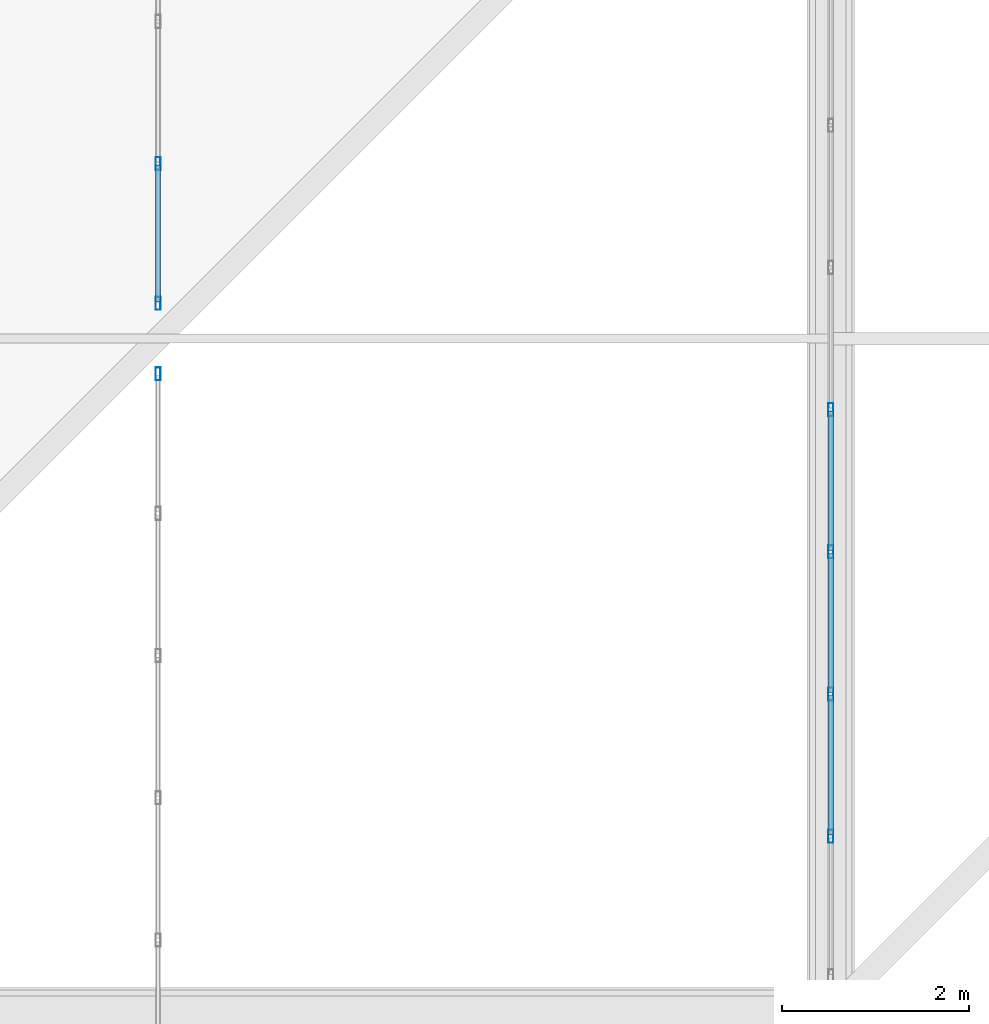
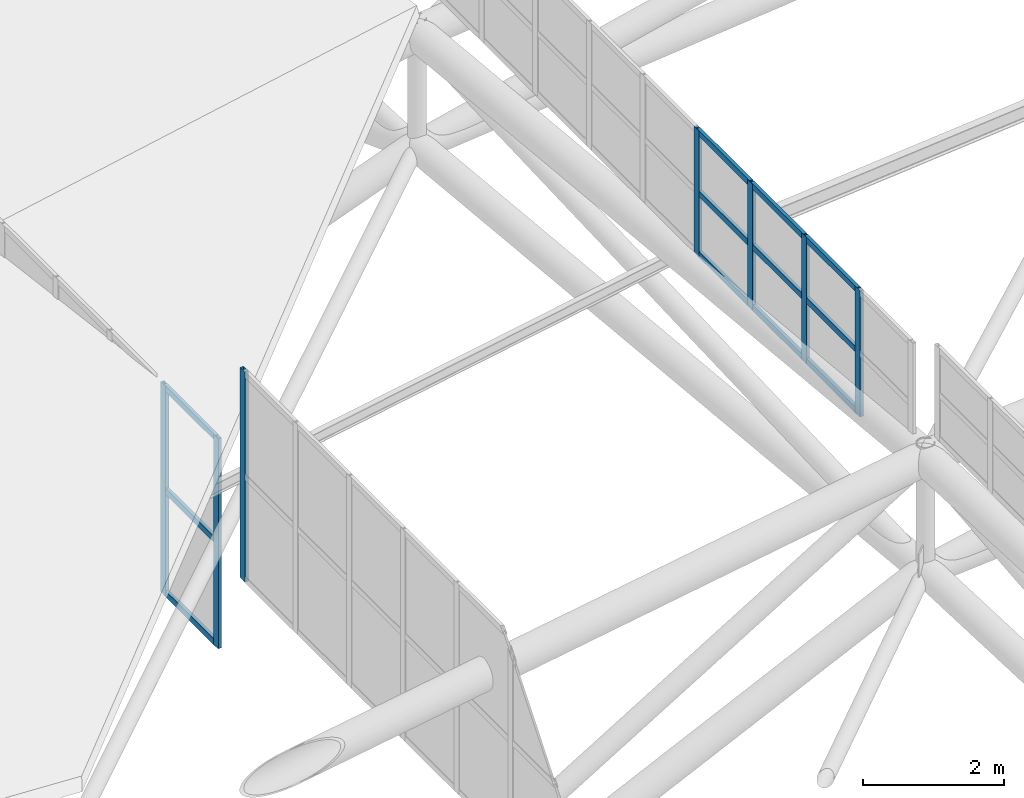
# One storey, part 201 of 397: 19 members, 3 elements without a shape of their own.
"""IFC4 building model written with IfcOpenShell, lengths in metres."""

import ifcopenshell
import ifcopenshell.guid

model = None  # the IFC model being written
_history = None  # IfcOwnerHistory: only IFC2X3 demands one
_inside = {}  # id of a spatial element -> (the spatial element, [elements in it])
_under = {}  # id of a project, library or spatial element -> (it, [spatial elements below it])
_declared = {}  # id of a project -> (the project, [libraries it declares])
_typed = {}  # id of a type object -> (the type object, [elements of that type])
_made_of = {}  # id of a material, layer set ... -> (it, [elements and type objects made of it])


def new_model(schema):
    """Start an empty IFC model of exactly this schema.

    Asked for "IFC4X3", IfcOpenShell would pick the latest addendum, in which some entities
    have other attributes; the version numbers below select the first issue.
    IFC2X3 requires an IfcOwnerHistory on every rooted entity: one is made here for all.
    """
    global model, _history
    if schema == "IFC4X3":
        model = ifcopenshell.file(schema_version=(4, 3, 0, 0))
    else:
        model = ifcopenshell.file(schema=schema)
    _inside.clear()
    _under.clear()
    _declared.clear()
    _typed.clear()
    _made_of.clear()
    _history = None
    if model.schema == "IFC2X3":
        org = make("IfcOrganization", Name="unknown")
        user = make(
            "IfcPersonAndOrganization",
            ThePerson=make("IfcPerson", FamilyName="unknown"),
            TheOrganization=org,
        )
        app = make(
            "IfcApplication",
            ApplicationDeveloper=org,
            Version="unknown",
            ApplicationFullName="unknown",
            ApplicationIdentifier="unknown",
        )
        _history = make(
            "IfcOwnerHistory",
            OwningUser=user,
            OwningApplication=app,
            ChangeAction="ADDED",
            CreationDate=0,
        )
    return model


def make(cls, **values):
    """One entity of the class cls with the attributes given. An attribute that is None is left unset."""
    return model.create_entity(
        cls, **{name: value for name, value in values.items() if value is not None}
    )


def rooted(cls, **values):
    """An entity with a GlobalId (a new one), such as an element, a storey or a relation."""
    return make(cls, GlobalId=ifcopenshell.guid.new(), OwnerHistory=_history, **values)


def si_unit(unit_type, name, prefix=None):
    """IfcSIUnit, for example si_unit("LENGTHUNIT", "METRE", prefix="MILLI")."""
    return make("IfcSIUnit", UnitType=unit_type, Prefix=prefix, Name=name)


def assignment(units):
    """IfcUnitAssignment: the units of a project."""
    return None if units is None else make("IfcUnitAssignment", Units=units)


def point(xyz):
    """IfcCartesianPoint."""
    return None if xyz is None else make("IfcCartesianPoint", Coordinates=xyz)


def direction(xyz):
    """IfcDirection."""
    return None if xyz is None else make("IfcDirection", DirectionRatios=xyz)


def frame(location, z_axis=None, x_axis=None):
    """IfcAxis2Placement3D, a coordinate frame: its origin and axes. An axis left out is left unset."""
    return make(
        "IfcAxis2Placement3D",
        Location=point(location),
        Axis=direction(z_axis),
        RefDirection=direction(x_axis),
    )


def frame_2d(location, x_axis=None):
    """IfcAxis2Placement2D, a coordinate frame in the plane: its origin and x axis."""
    return make(
        "IfcAxis2Placement2D", Location=point(location), RefDirection=direction(x_axis)
    )


def origin():
    """The frame at (0, 0, 0) with its axes left unset."""
    return frame((0.0, 0.0, 0.0))


def origin_2d():
    """The frame at (0, 0) in the plane with its x axis left unset."""
    return frame_2d((0.0, 0.0))


def place(relative_to, where):
    """IfcLocalPlacement: puts the frame where relative to a parent placement (None: the world)."""
    return make(
        "IfcLocalPlacement", PlacementRelTo=relative_to, RelativePlacement=where
    )


def context(
    kind, dimensions, precision=None, world=None, true_north=None, identifier=None
):
    """IfcGeometricRepresentationContext, for example the 3D "Model" context."""
    return make(
        "IfcGeometricRepresentationContext",
        ContextIdentifier=identifier,
        ContextType=kind,
        CoordinateSpaceDimension=dimensions,
        Precision=precision,
        WorldCoordinateSystem=world,
        TrueNorth=true_north,
    )


def subcontext(parent, identifier, kind, view, scale=None):
    """IfcGeometricRepresentationSubContext, for example "Body" below "Model"."""
    return make(
        "IfcGeometricRepresentationSubContext",
        ContextIdentifier=identifier,
        ContextType=kind,
        ParentContext=parent,
        TargetScale=scale,
        TargetView=view,
    )


def project(units=None, contexts=None):
    """IfcProject with its units and contexts."""
    return rooted(
        "IfcProject",
        Name="project",
        RepresentationContexts=contexts,
        UnitsInContext=assignment(units),
    )


def spatial(cls, under=None, at=None, **own):
    """A site, building, storey or space (cls), placed at a placement, below another one or the project."""
    s = rooted(cls, ObjectPlacement=at, **own)
    if under is not None:
        _under.setdefault(under.id(), (under, []))[1].append(s)
    return s


def profile(cls, at=None, kind="AREA", **sizes):
    """A parametric profile (cls). Its sizes go by their IFC names, for example OverallWidth=200.0."""
    return make(cls, ProfileType=kind, Position=at, **sizes)


def hollow_rectangle(**sizes):
    """IfcRectangleHollowProfileDef."""
    return profile("IfcRectangleHollowProfileDef", **sizes)


def extrude(swept, where, along, depth):
    """IfcExtrudedAreaSolid: the profile swept, set in the frame where, extruded along a direction by depth."""
    return make(
        "IfcExtrudedAreaSolid",
        SweptArea=swept,
        Position=where,
        ExtrudedDirection=direction(along),
        Depth=depth,
    )


def shape(context_of_items, identifier, shape_type, items):
    """IfcShapeRepresentation: the items that make up one representation, for example the "Body"."""
    return make(
        "IfcShapeRepresentation",
        ContextOfItems=context_of_items,
        RepresentationIdentifier=identifier,
        RepresentationType=shape_type,
        Items=items,
    )


def material(Name=None, Category=None):
    """IfcMaterial."""
    return make("IfcMaterial", Name=Name, Category=Category)


def material_profile(
    of_material, cross_section, Name=None, Category=None, Priority=None
):
    """IfcMaterialProfile: a cross section and its material."""
    return make(
        "IfcMaterialProfile",
        Name=Name,
        Material=of_material,
        Profile=cross_section,
        Priority=Priority,
        Category=Category,
    )


def profile_set(profiles, Name=None, composite=None):
    """IfcMaterialProfileSet."""
    return make(
        "IfcMaterialProfileSet",
        Name=Name,
        MaterialProfiles=profiles,
        CompositeProfile=composite,
    )


def made_of(thing, what):
    """Note that an element or type object is made of a material, layer set ...; save() writes the relation."""
    if what is not None:
        _made_of.setdefault(what.id(), (what, []))[1].append(thing)
    return thing


def type_object(cls, material=None, **own):
    """A type object (cls), such as IfcWallType, which elements share."""
    return made_of(rooted(cls, **own), material)


def element(
    cls,
    number,
    at=None,
    inside=None,
    cuts=None,
    type_object=None,
    material=None,
    context=None,
    identifier="Body",
    shape_type=None,
    held_by="IfcProductDefinitionShape",
    body=None,
    shapes=None,
    **own,
):
    """One element of the class cls, such as IfcWall. Its Tag is "e" and its number.

    at: its placement. inside: the storey or other place that contains it. cuts: it is an
    opening in that element (IfcRelVoidsElement). A single representation is given by context,
    identifier, shape_type and body (its items); several are given by shapes. held_by: the class
    of the entity that holds the representations. save() writes the other relations.
    """
    e = rooted(cls, Tag="e%d" % number, ObjectPlacement=at, **own)
    if body is not None:
        shapes = [shape(context, identifier, shape_type, body)]
    if shapes is not None:
        e.Representation = make(held_by, Representations=shapes)
    if inside is not None:
        _inside.setdefault(inside.id(), (inside, []))[1].append(e)
    if cuts is not None:
        rooted(
            "IfcRelVoidsElement", RelatingBuildingElement=cuts, RelatedOpeningElement=e
        )
    if type_object is not None:
        _typed.setdefault(type_object.id(), (type_object, []))[1].append(e)
    return made_of(e, material)


def aggregate(whole, parts):
    """IfcRelAggregates: a whole, such as a stair, and the parts it consists of."""
    return rooted("IfcRelAggregates", RelatingObject=whole, RelatedObjects=parts)


def save(model, path):
    """Write the relations noted so far, then the file.

    IfcRelAggregates (storeys below a building ...), IfcRelContainedInSpatialStructure (elements
    in a storey), IfcRelDefinesByType, IfcRelAssociatesMaterial and IfcRelDeclares: one each for
    every whole, place, type object, material and project.
    """
    for whole, parts in _under.values():
        aggregate(whole, parts)
    for where, things in _inside.values():
        rooted(
            "IfcRelContainedInSpatialStructure",
            RelatedElements=things,
            RelatingStructure=where,
        )
    for kind, things in _typed.values():
        rooted("IfcRelDefinesByType", RelatedObjects=things, RelatingType=kind)
    for what, things in _made_of.values():
        rooted("IfcRelAssociatesMaterial", RelatedObjects=things, RelatingMaterial=what)
    for by, libraries in _declared.values():
        rooted("IfcRelDeclares", RelatingContext=by, RelatedDefinitions=libraries)
    model.write(path)


model = new_model("IFC4")

# Units and contexts
model_context = context("Model", 3, precision=1e-05, world=origin(), true_north=direction((0.0, 1.0)))
body_context = subcontext(model_context, "Body", "Model", "MODEL_VIEW")
ifc_project = project(units=[si_unit("LENGTHUNIT", "METRE"), si_unit("AREAUNIT", "SQUARE_METRE"), si_unit("VOLUMEUNIT", "CUBIC_METRE"), si_unit("PLANEANGLEUNIT", "RADIAN"), si_unit("MASSUNIT", "GRAM", prefix="KILO")], contexts=[model_context])

# Site, building, storey
site_placement = place(None, origin())
site = spatial("IfcSite", under=ifc_project, at=site_placement, CompositionType="ELEMENT")
building_placement = place(site_placement, origin())
building = spatial("IfcBuilding", under=site, at=building_placement, Name="Qandorah Velis Arena", CompositionType="ELEMENT")
storey_placement = place(building_placement, frame((0.0, 0.0, 27.5)))
storey = spatial("IfcBuildingStorey", under=building, at=storey_placement, Name="RF", CompositionType="ELEMENT", Elevation=27.5)

# Curtain wall, member
ifc_material_1 = material(Name="Solar-control low-E double glazing", Category="glass")
curtain_wall_type_1 = type_object("IfcCurtainWallType", Name="ARC-CW-SYS11", PredefinedType="USERDEFINED", material=ifc_material_1)
curtain_wall_1_placement = place(storey_placement, origin())
curtain_wall_1 = element("IfcCurtainWall", 1, at=curtain_wall_1_placement, inside=storey, type_object=curtain_wall_type_1, Name="Unitised curtain wall MON-1-5", ObjectType="UNITISED CURTAIN WALL", PredefinedType="USERDEFINED")
ifc_material_2 = material(Name="Champagne-bronze anodized aluminium 6063-T6", Category="aluminium")
ifc_material_profile_1 = material_profile(ifc_material_2, hollow_rectangle(XDim=0.054931640625, YDim=0.139892578125, WallThickness=0.0029296875, at=origin_2d()), Name="ALU MULLION 55x140")
ifc_profile_set_1 = profile_set([ifc_material_profile_1], Name="Champagne-bronze anodized aluminium 6063-T6")
member_type_1 = type_object("IfcMemberType", Name="ARC-CWM-140", PredefinedType="MULLION", material=ifc_profile_set_1)
member_1_placement = place(storey_placement, frame((21.60009765625, 93.222412109375, 5.13427734375), z_axis=(0.0, 0.0, 1.0), x_axis=(-1.0, 0.0, 0.0)))
member_1 = element("IfcMember", 2, at=member_1_placement, type_object=member_type_1, Name="CW11 mullion 10", PredefinedType="MULLION", context=body_context, shape_type="SweptSolid", body=[
    extrude(hollow_rectangle(XDim=0.054931640625, YDim=0.139892578125, WallThickness=0.0029296875, at=origin_2d()), origin(), (0.0, 0.0, 1.0), 3.630126953125),
])
aggregate(curtain_wall_1, [member_1])

# Curtain wall, members
curtain_wall_type_2 = type_object("IfcCurtainWallType", Name="ARC-CW-SYS12", PredefinedType="USERDEFINED", material=ifc_material_1)
curtain_wall_2_placement = place(storey_placement, origin())
curtain_wall_2 = element("IfcCurtainWall", 3, at=curtain_wall_2_placement, inside=storey, type_object=curtain_wall_type_2, Name="Unitised curtain wall MON-1-6", ObjectType="UNITISED CURTAIN WALL", PredefinedType="USERDEFINED")
member_2_placement = place(storey_placement, frame((21.60009765625, 93.9775390625, 3.5263671875), z_axis=(0.0, 0.0, 1.0), x_axis=(-1.0, 0.0, 0.0)))
member_2 = element("IfcMember", 4, at=member_2_placement, type_object=member_type_1, Name="CW12 mullion 1", PredefinedType="MULLION", context=body_context, shape_type="SweptSolid", body=[
    extrude(hollow_rectangle(XDim=0.054931640625, YDim=0.139892578125, WallThickness=0.0029296875, at=origin_2d()), origin(), (0.0, 0.0, 1.0), 3.630126953125),
])
member_3_placement = place(storey_placement, frame((21.60009765625, 95.47216796875, 3.5263671875), z_axis=(0.0, 0.0, 1.0), x_axis=(-1.0, 0.0, 0.0)))
member_3 = element("IfcMember", 5, at=member_3_placement, type_object=member_type_1, Name="CW12 mullion 2", PredefinedType="MULLION", context=body_context, shape_type="SweptSolid", body=[
    extrude(hollow_rectangle(XDim=0.054931640625, YDim=0.139892578125, WallThickness=0.0029296875, at=origin_2d()), origin(), (0.0, 0.0, 1.0), 3.630126953125),
])

curtain_wall_type_3 = type_object("IfcCurtainWallType", Name="ARC-CW-SYS10", PredefinedType="USERDEFINED", material=ifc_material_1)
curtain_wall_3_placement = place(storey_placement, origin())
curtain_wall_3 = element("IfcCurtainWall", 6, at=curtain_wall_3_placement, inside=storey, type_object=curtain_wall_type_3, Name="Unitised curtain wall OCULUS-1-5", ObjectType="UNITISED CURTAIN WALL", PredefinedType="USERDEFINED")
member_4_placement = place(storey_placement, frame((28.800048828125, 88.272216796875, 8.470947265625), z_axis=(0.0, 0.0, 1.0), x_axis=(-1.0, 0.0, 0.0)))
member_4 = element("IfcMember", 7, at=member_4_placement, type_object=member_type_1, Name="CW10 mullion 2", PredefinedType="MULLION", context=body_context, shape_type="SweptSolid", body=[
    extrude(hollow_rectangle(XDim=0.054931640625, YDim=0.139892578125, WallThickness=0.0029296875, at=origin_2d()), origin(), (0.0, 0.0, 1.0), 2.179931640625),
])
member_5_placement = place(storey_placement, frame((28.800048828125, 89.79443359375, 8.470947265625), z_axis=(0.0, 0.0, 1.0), x_axis=(-1.0, 0.0, 0.0)))
member_5 = element("IfcMember", 8, at=member_5_placement, type_object=member_type_1, Name="CW10 mullion 3", PredefinedType="MULLION", context=body_context, shape_type="SweptSolid", body=[
    extrude(hollow_rectangle(XDim=0.054931640625, YDim=0.139892578125, WallThickness=0.0029296875, at=origin_2d()), origin(), (0.0, 0.0, 1.0), 2.179931640625),
])
member_6_placement = place(storey_placement, frame((28.800048828125, 91.316650390625, 8.470947265625), z_axis=(0.0, 0.0, 1.0), x_axis=(-1.0, 0.0, 0.0)))
member_6 = element("IfcMember", 9, at=member_6_placement, type_object=member_type_1, Name="CW10 mullion 4", PredefinedType="MULLION", context=body_context, shape_type="SweptSolid", body=[
    extrude(hollow_rectangle(XDim=0.054931640625, YDim=0.139892578125, WallThickness=0.0029296875, at=origin_2d()), origin(), (0.0, 0.0, 1.0), 2.179931640625),
])
member_7_placement = place(storey_placement, frame((28.800048828125, 92.8388671875, 8.470947265625), z_axis=(0.0, 0.0, 1.0), x_axis=(-1.0, 0.0, 0.0)))
member_7 = element("IfcMember", 10, at=member_7_placement, type_object=member_type_1, Name="CW10 mullion 5", PredefinedType="MULLION", context=body_context, shape_type="SweptSolid", body=[
    extrude(hollow_rectangle(XDim=0.054931640625, YDim=0.139892578125, WallThickness=0.0029296875, at=origin_2d()), origin(), (0.0, 0.0, 1.0), 2.179931640625),
])

# Member
ifc_material_profile_2 = material_profile(ifc_material_2, hollow_rectangle(XDim=0.054931640625, YDim=0.10009765625, WallThickness=0.0029296875, at=origin_2d()), Name="ALU TRANSOM 55x100")
ifc_profile_set_2 = profile_set([ifc_material_profile_2], Name="Champagne-bronze anodized aluminium 6063-T6")
member_type_2 = type_object("IfcMemberType", Name="ARC-CWT-100", PredefinedType="USERDEFINED", material=ifc_profile_set_2)
member_8_placement = place(storey_placement, frame((21.60009765625, 93.992919921875, 3.56884765625), z_axis=(0.0, 1.0, 0.0), x_axis=(-1.0, 0.0, 0.0)))
member_8 = element("IfcMember", 11, at=member_8_placement, type_object=member_type_2, Name="CW12 transom 1.1", ObjectType="TRANSOM", PredefinedType="USERDEFINED", context=body_context, shape_type="SweptSolid", body=[
    extrude(hollow_rectangle(XDim=0.054931640625, YDim=0.10009765625, WallThickness=0.0029296875, at=origin_2d()), origin(), (0.0, 0.0, 1.0), 1.4638671875),
])

member_9_placement = place(storey_placement, frame((21.60009765625, 93.992919921875, 5.34130859375), z_axis=(0.0, 1.0, 0.0), x_axis=(-1.0, 0.0, 0.0)))
member_9 = element("IfcMember", 12, at=member_9_placement, type_object=member_type_2, Name="CW12 transom 1.2", ObjectType="TRANSOM", PredefinedType="USERDEFINED", context=body_context, shape_type="SweptSolid", body=[
    extrude(hollow_rectangle(XDim=0.054931640625, YDim=0.10009765625, WallThickness=0.0029296875, at=origin_2d()), origin(), (0.0, 0.0, 1.0), 1.4638671875),
])

member_10_placement = place(storey_placement, frame((21.60009765625, 93.992919921875, 7.114013671875), z_axis=(0.0, 1.0, 0.0), x_axis=(-1.0, 0.0, 0.0)))
member_10 = element("IfcMember", 13, at=member_10_placement, type_object=member_type_2, Name="CW12 transom 1.3", ObjectType="TRANSOM", PredefinedType="USERDEFINED", context=body_context, shape_type="SweptSolid", body=[
    extrude(hollow_rectangle(XDim=0.054931640625, YDim=0.10009765625, WallThickness=0.0029296875, at=origin_2d()), origin(), (0.0, 0.0, 1.0), 1.4638671875),
])

aggregate(curtain_wall_2, [member_2, member_3, member_8, member_9, member_10])

member_11_placement = place(storey_placement, frame((28.800048828125, 88.28759765625, 8.513427734375), z_axis=(0.0, 1.0, 0.0), x_axis=(-1.0, 0.0, 0.0)))
member_11 = element("IfcMember", 14, at=member_11_placement, type_object=member_type_2, Name="CW10 transom 2.1", ObjectType="TRANSOM", PredefinedType="USERDEFINED", context=body_context, shape_type="SweptSolid", body=[
    extrude(hollow_rectangle(XDim=0.054931640625, YDim=0.10009765625, WallThickness=0.0029296875, at=origin_2d()), origin(), (0.0, 0.0, 1.0), 1.4912109375),
])

member_12_placement = place(storey_placement, frame((28.800048828125, 88.28759765625, 9.56103515625), z_axis=(0.0, 1.0, 0.0), x_axis=(-1.0, 0.0, 0.0)))
member_12 = element("IfcMember", 15, at=member_12_placement, type_object=member_type_2, Name="CW10 transom 2.2", ObjectType="TRANSOM", PredefinedType="USERDEFINED", context=body_context, shape_type="SweptSolid", body=[
    extrude(hollow_rectangle(XDim=0.054931640625, YDim=0.10009765625, WallThickness=0.0029296875, at=origin_2d()), origin(), (0.0, 0.0, 1.0), 1.4912109375),
])

member_13_placement = place(storey_placement, frame((28.800048828125, 88.28759765625, 10.6083984375), z_axis=(0.0, 1.0, 0.0), x_axis=(-1.0, 0.0, 0.0)))
member_13 = element("IfcMember", 16, at=member_13_placement, type_object=member_type_2, Name="CW10 transom 2.3", ObjectType="TRANSOM", PredefinedType="USERDEFINED", context=body_context, shape_type="SweptSolid", body=[
    extrude(hollow_rectangle(XDim=0.054931640625, YDim=0.10009765625, WallThickness=0.0029296875, at=origin_2d()), origin(), (0.0, 0.0, 1.0), 1.4912109375),
])

member_14_placement = place(storey_placement, frame((28.800048828125, 89.809814453125, 8.513427734375), z_axis=(0.0, 1.0, 0.0), x_axis=(-1.0, 0.0, 0.0)))
member_14 = element("IfcMember", 17, at=member_14_placement, type_object=member_type_2, Name="CW10 transom 3.1", ObjectType="TRANSOM", PredefinedType="USERDEFINED", context=body_context, shape_type="SweptSolid", body=[
    extrude(hollow_rectangle(XDim=0.054931640625, YDim=0.10009765625, WallThickness=0.0029296875, at=origin_2d()), origin(), (0.0, 0.0, 1.0), 1.491455078125),
])

member_15_placement = place(storey_placement, frame((28.800048828125, 89.809814453125, 9.56103515625), z_axis=(0.0, 1.0, 0.0), x_axis=(-1.0, 0.0, 0.0)))
member_15 = element("IfcMember", 18, at=member_15_placement, type_object=member_type_2, Name="CW10 transom 3.2", ObjectType="TRANSOM", PredefinedType="USERDEFINED", context=body_context, shape_type="SweptSolid", body=[
    extrude(hollow_rectangle(XDim=0.054931640625, YDim=0.10009765625, WallThickness=0.0029296875, at=origin_2d()), origin(), (0.0, 0.0, 1.0), 1.491455078125),
])

member_16_placement = place(storey_placement, frame((28.800048828125, 89.809814453125, 10.6083984375), z_axis=(0.0, 1.0, 0.0), x_axis=(-1.0, 0.0, 0.0)))
member_16 = element("IfcMember", 19, at=member_16_placement, type_object=member_type_2, Name="CW10 transom 3.3", ObjectType="TRANSOM", PredefinedType="USERDEFINED", context=body_context, shape_type="SweptSolid", body=[
    extrude(hollow_rectangle(XDim=0.054931640625, YDim=0.10009765625, WallThickness=0.0029296875, at=origin_2d()), origin(), (0.0, 0.0, 1.0), 1.491455078125),
])

member_17_placement = place(storey_placement, frame((28.800048828125, 91.332275390625, 8.513427734375), z_axis=(0.0, 1.0, 0.0), x_axis=(-1.0, 0.0, 0.0)))
member_17 = element("IfcMember", 20, at=member_17_placement, type_object=member_type_2, Name="CW10 transom 4.1", ObjectType="TRANSOM", PredefinedType="USERDEFINED", context=body_context, shape_type="SweptSolid", body=[
    extrude(hollow_rectangle(XDim=0.054931640625, YDim=0.10009765625, WallThickness=0.0029296875, at=origin_2d()), origin(), (0.0, 0.0, 1.0), 1.4912109375),
])

member_18_placement = place(storey_placement, frame((28.800048828125, 91.332275390625, 9.56103515625), z_axis=(0.0, 1.0, 0.0), x_axis=(-1.0, 0.0, 0.0)))
member_18 = element("IfcMember", 21, at=member_18_placement, type_object=member_type_2, Name="CW10 transom 4.2", ObjectType="TRANSOM", PredefinedType="USERDEFINED", context=body_context, shape_type="SweptSolid", body=[
    extrude(hollow_rectangle(XDim=0.054931640625, YDim=0.10009765625, WallThickness=0.0029296875, at=origin_2d()), origin(), (0.0, 0.0, 1.0), 1.4912109375),
])

member_19_placement = place(storey_placement, frame((28.800048828125, 91.332275390625, 10.6083984375), z_axis=(0.0, 1.0, 0.0), x_axis=(-1.0, 0.0, 0.0)))
member_19 = element("IfcMember", 22, at=member_19_placement, type_object=member_type_2, Name="CW10 transom 4.3", ObjectType="TRANSOM", PredefinedType="USERDEFINED", context=body_context, shape_type="SweptSolid", body=[
    extrude(hollow_rectangle(XDim=0.054931640625, YDim=0.10009765625, WallThickness=0.0029296875, at=origin_2d()), origin(), (0.0, 0.0, 1.0), 1.4912109375),
])

aggregate(curtain_wall_3, [member_4, member_5, member_6, member_7, member_11, member_12, member_13, member_14, member_15, member_16, member_17, member_18, member_19])

save(model, "model.ifc")
